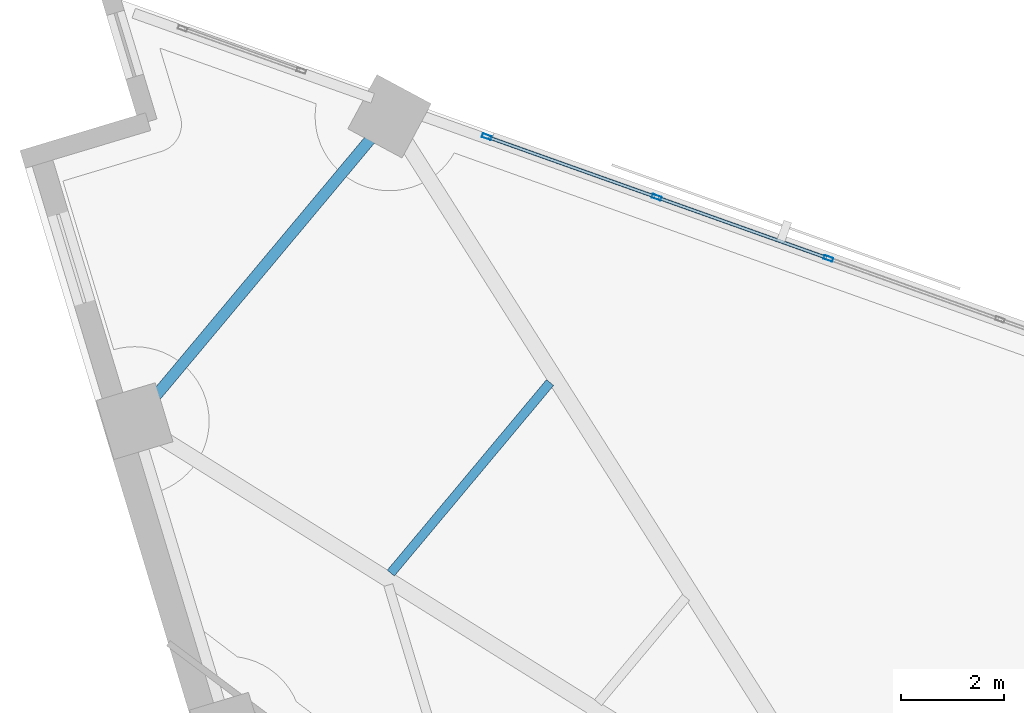
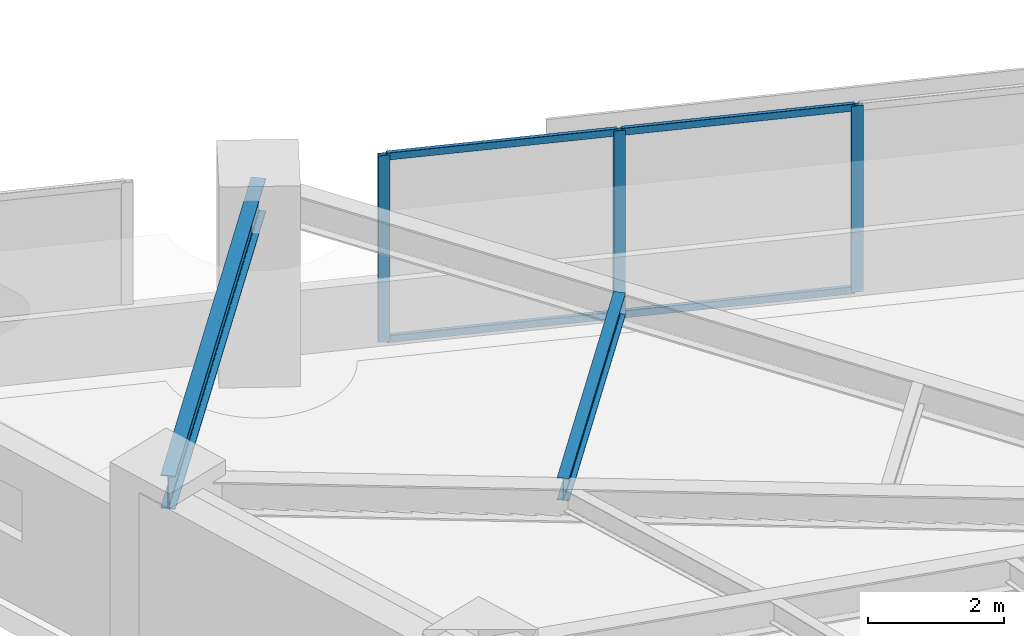
# One storey, part 6 of 16: 7 members, 2 beams, 1 element without a shape of its own.
"""IFC4 building model written with IfcOpenShell, lengths in metres."""

from ifc_helpers import new_model, si_unit, direction, frame, origin, origin_2d, place, context, subcontext, project, spatial, hollow_rectangle, i_section, extrude, material, material_profile, profile_set, type_object, element, aggregate, save


model = new_model("IFC4")

# Units and contexts
model_context = context("Model", 3, precision=1e-05, world=origin(), true_north=direction((0.0, 1.0)))
body_context = subcontext(model_context, "Body", "Model", "MODEL_VIEW")
ifc_project = project(units=[si_unit("LENGTHUNIT", "METRE"), si_unit("AREAUNIT", "SQUARE_METRE"), si_unit("VOLUMEUNIT", "CUBIC_METRE"), si_unit("PLANEANGLEUNIT", "RADIAN"), si_unit("MASSUNIT", "GRAM", prefix="KILO")], contexts=[model_context])

# Site, building, storey
site_placement = place(None, origin())
site = spatial("IfcSite", under=ifc_project, at=site_placement, CompositionType="ELEMENT")
building_placement = place(site_placement, origin())
building = spatial("IfcBuilding", under=site, at=building_placement, Name="Narakoshi Arena Tower", CompositionType="ELEMENT")
storey_placement = place(building_placement, frame((0.0, 0.0, 132.300048828125)))
storey = spatial("IfcBuildingStorey", under=building, at=storey_placement, Name="L35", CompositionType="ELEMENT", Elevation=132.300048828125)

# Beams
ifc_material_1 = material(Name="Structural steel S355J2", Category="steel")
ifc_material_profile_1 = material_profile(ifc_material_1, i_section(OverallWidth=0.219970703125, OverallDepth=0.60009765625, WebThickness=0.011962890625, FlangeThickness=0.01904296875, FilletRadius=0.02392578125, at=origin_2d()), Name="IPE600")
ifc_profile_set_1 = profile_set([ifc_material_profile_1], Name="Structural steel S355J2")
beam_type_1 = type_object("IfcBeamType", Name="BM-EDGE-600", PredefinedType="BEAM", material=ifc_profile_set_1)
beam_1_placement = place(storey_placement, frame((62.545166015625, 71.4501953125, 3.0400390625), z_axis=(-0.641406030011, -0.767201606272, 0.0), x_axis=(0.767201606272, -0.641406030011, 0.0)))
element("IfcBeam", 1, at=beam_1_placement, inside=storey, type_object=beam_type_1, Name="L35 Perimeter Edge Girder 09", PredefinedType="BEAM", context=body_context, shape_type="SweptSolid", body=[
    extrude(i_section(OverallWidth=0.219970703125, OverallDepth=0.60009765625, WebThickness=0.011962890625, FlangeThickness=0.01904296875, FilletRadius=0.02392578125, at=origin_2d()), origin(), (0.0, 0.0, 1.0), 7.73974609375),
])
ifc_material_profile_2 = material_profile(ifc_material_1, i_section(OverallWidth=0.179931640625, OverallDepth=0.39990234375, WebThickness=0.008544921875, FlangeThickness=0.013427734375, FilletRadius=0.02099609375, at=origin_2d()), Name="IPE400")
ifc_profile_set_2 = profile_set([ifc_material_profile_2], Name="Structural steel S355J2")
beam_type_2 = type_object("IfcBeamType", Name="BM-SEC-400", PredefinedType="JOIST", material=ifc_profile_set_2)
beam_2_placement = place(storey_placement, frame((65.673095703125, 66.263671875, 3.139892578125), z_axis=(-0.641350038539, -0.767248413531, 0.0), x_axis=(0.767248413531, -0.641350038539, 0.0)))
element("IfcBeam", 2, at=beam_2_placement, inside=storey, type_object=beam_type_2, Name="L35 Composite Secondary Floor Joist 08", PredefinedType="JOIST", context=body_context, shape_type="SweptSolid", body=[
    extrude(i_section(OverallWidth=0.179931640625, OverallDepth=0.39990234375, WebThickness=0.008544921875, FlangeThickness=0.013427734375, FilletRadius=0.02099609375, at=origin_2d()), origin(), (0.0, 0.0, 1.0), 4.83837890625),
])

# Curtain wall, members
ifc_material_2 = material(Name="Anodised bronze aluminium 6063-T6", Category="aluminium")
curtain_wall_type = type_object("IfcCurtainWallType", Name="CW-HYP-MID", PredefinedType="NOTDEFINED", material=ifc_material_2)
curtain_wall_placement = place(storey_placement, origin())
curtain_wall = element("IfcCurtainWall", 3, at=curtain_wall_placement, inside=storey, type_object=curtain_wall_type, Name="L35 Folded Hypotenuse Curtain Wall 2-1", PredefinedType="NOTDEFINED")
ifc_material_profile_3 = material_profile(ifc_material_2, hollow_rectangle(XDim=0.074951171875, YDim=0.179931640625, WallThickness=0.00390625, OuterFilletRadius=0.0048828125, at=origin_2d()), Name="MUL180x75x4")
ifc_profile_set_3 = profile_set([ifc_material_profile_3], Name="Anodised bronze aluminium 6063-T6")
member_type_1 = type_object("IfcMemberType", Name="MEM-MUL-180", PredefinedType="MULLION", material=ifc_profile_set_3)
member_1_placement = place(storey_placement, frame((71.092529296875, 68.68212890625, 0.0), z_axis=(0.0, 0.0, 1.0), x_axis=(-0.335518297139, -0.94203368957, 0.0)))
member_1 = element("IfcMember", 4, at=member_1_placement, type_object=member_type_1, Name="CW-02 mullion 6", PredefinedType="MULLION", context=body_context, shape_type="SweptSolid", body=[
    extrude(hollow_rectangle(XDim=0.074951171875, YDim=0.179931640625, WallThickness=0.00390625, OuterFilletRadius=0.0048828125, at=origin_2d()), origin(), (0.0, 0.0, 1.0), 3.33984375),
])
member_2_placement = place(storey_placement, frame((67.748046875, 69.873291015625, 0.0), z_axis=(0.0, 0.0, 1.0), x_axis=(-0.335518297139, -0.94203368957, 0.0)))
member_2 = element("IfcMember", 5, at=member_2_placement, type_object=member_type_1, Name="CW-02 mullion 7", PredefinedType="MULLION", context=body_context, shape_type="SweptSolid", body=[
    extrude(hollow_rectangle(XDim=0.074951171875, YDim=0.179931640625, WallThickness=0.00390625, OuterFilletRadius=0.0048828125, at=origin_2d()), origin(), (0.0, 0.0, 1.0), 3.33984375),
])
member_3_placement = place(storey_placement, frame((64.438720703125, 71.052001953125, 0.0), z_axis=(0.0, 0.0, 1.0), x_axis=(-0.335518297139, -0.94203368957, 0.0)))
member_3 = element("IfcMember", 6, at=member_3_placement, type_object=member_type_1, Name="CW-02 mullion 8", PredefinedType="MULLION", context=body_context, shape_type="SweptSolid", body=[
    extrude(hollow_rectangle(XDim=0.074951171875, YDim=0.179931640625, WallThickness=0.00390625, OuterFilletRadius=0.0048828125, at=origin_2d()), origin(), (0.0, 0.0, 1.0), 3.33984375),
])
ifc_material_profile_4 = material_profile(ifc_material_2, hollow_rectangle(XDim=0.06494140625, YDim=0.1298828125, WallThickness=0.00390625, OuterFilletRadius=0.0048828125, at=origin_2d()), Name="TRN130x65x4")
ifc_profile_set_4 = profile_set([ifc_material_profile_4], Name="Anodised bronze aluminium 6063-T6")
member_type_2 = type_object("IfcMemberType", Name="MEM-TRN-130", PredefinedType="USERDEFINED", material=ifc_profile_set_4)
member_4_placement = place(storey_placement, frame((71.05712890625, 68.694580078125, 0.032470703125), z_axis=(-0.942014960696, 0.335570877498, 0.0), x_axis=(-0.335570877498, -0.942014960696, 0.0)))
member_4 = element("IfcMember", 7, at=member_4_placement, type_object=member_type_2, Name="CW-02 transom 6.1", ObjectType="TRANSOM", PredefinedType="USERDEFINED", context=body_context, shape_type="SweptSolid", body=[
    extrude(hollow_rectangle(XDim=0.06494140625, YDim=0.1298828125, WallThickness=0.00390625, OuterFilletRadius=0.0048828125, at=origin_2d()), origin(), (0.0, 0.0, 1.0), 3.475341796875),
])
member_5_placement = place(storey_placement, frame((71.05712890625, 68.694580078125, 3.307373046875), z_axis=(-0.942014960696, 0.335570877498, 0.0), x_axis=(-0.335570877498, -0.942014960696, 0.0)))
member_5 = element("IfcMember", 8, at=member_5_placement, type_object=member_type_2, Name="CW-02 transom 6.2", ObjectType="TRANSOM", PredefinedType="USERDEFINED", context=body_context, shape_type="SweptSolid", body=[
    extrude(hollow_rectangle(XDim=0.06494140625, YDim=0.1298828125, WallThickness=0.00390625, OuterFilletRadius=0.0048828125, at=origin_2d()), origin(), (0.0, 0.0, 1.0), 3.475341796875),
])
member_6_placement = place(storey_placement, frame((67.712646484375, 69.885986328125, 0.032470703125), z_axis=(-0.942045199235, 0.335485979735, 0.0), x_axis=(-0.335485979735, -0.942045199235, 0.0)))
member_6 = element("IfcMember", 9, at=member_6_placement, type_object=member_type_2, Name="CW-02 transom 7.1", ObjectType="TRANSOM", PredefinedType="USERDEFINED", context=body_context, shape_type="SweptSolid", body=[
    extrude(hollow_rectangle(XDim=0.06494140625, YDim=0.1298828125, WallThickness=0.00390625, OuterFilletRadius=0.0048828125, at=origin_2d()), origin(), (0.0, 0.0, 1.0), 3.437744140625),
])
member_7_placement = place(storey_placement, frame((67.712646484375, 69.885986328125, 3.307373046875), z_axis=(-0.942045199235, 0.335485979735, 0.0), x_axis=(-0.335485979735, -0.942045199235, 0.0)))
member_7 = element("IfcMember", 10, at=member_7_placement, type_object=member_type_2, Name="CW-02 transom 7.2", ObjectType="TRANSOM", PredefinedType="USERDEFINED", context=body_context, shape_type="SweptSolid", body=[
    extrude(hollow_rectangle(XDim=0.06494140625, YDim=0.1298828125, WallThickness=0.00390625, OuterFilletRadius=0.0048828125, at=origin_2d()), origin(), (0.0, 0.0, 1.0), 3.437744140625),
])
aggregate(curtain_wall, [member_1, member_2, member_3, member_4, member_5, member_6, member_7])

save(model, "model.ifc")
